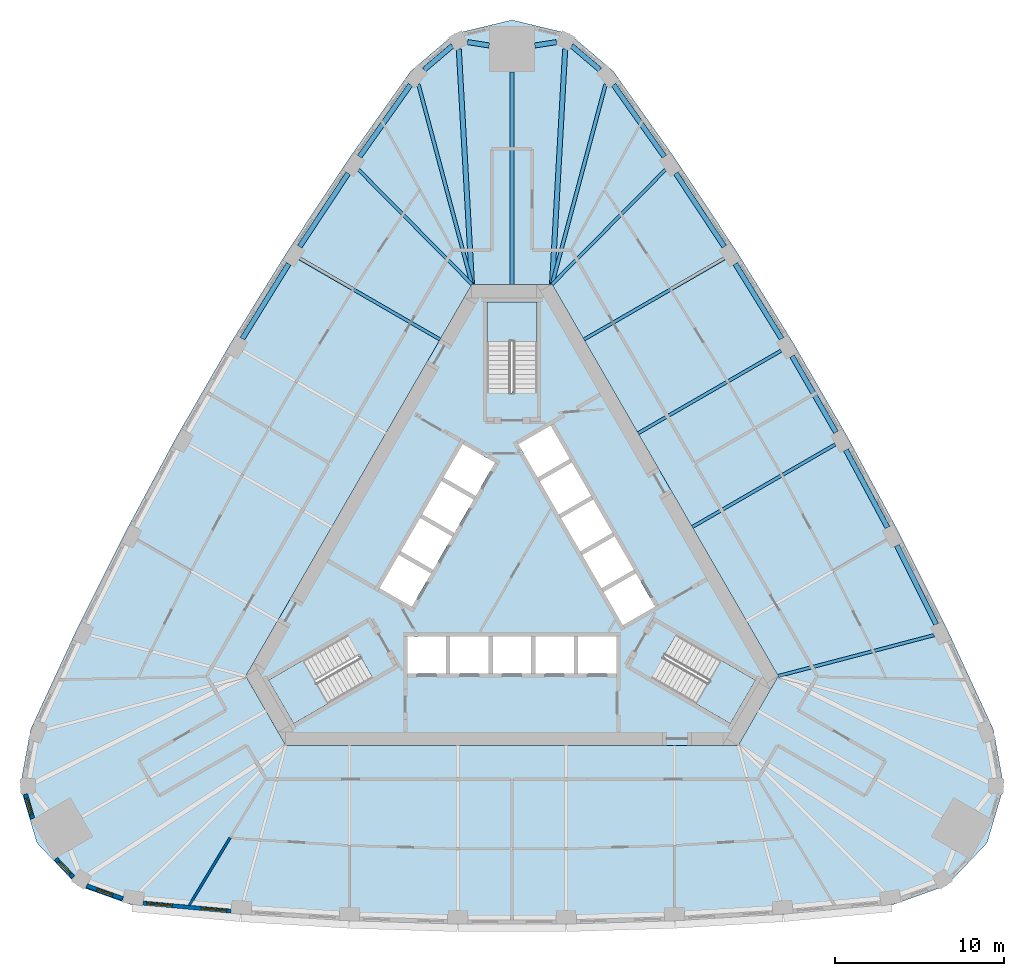
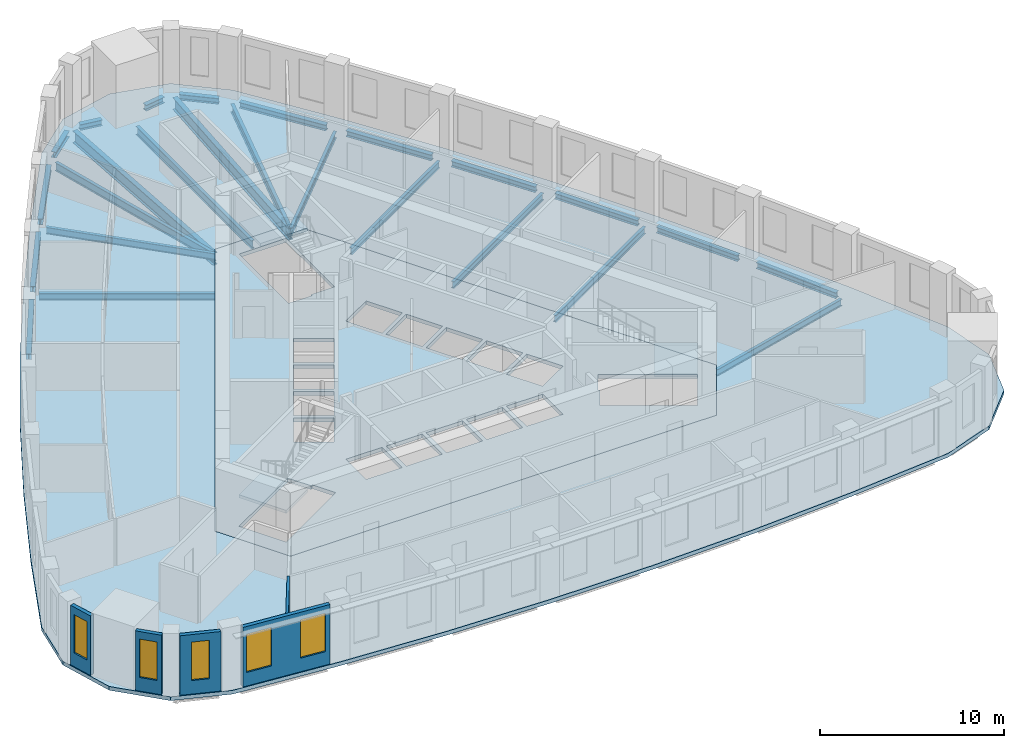
# One storey, part 2 of 10: 25 beams, 5 slabs, 5 walls, 5 windows, 5 openings, 3 elements without a shape of their own.
"""IFC4 building model written with IfcOpenShell, lengths in metres."""

from ifc_helpers import new_model, si_unit, direction, frame, frame_2d, origin, origin_2d, place, context, subcontext, project, spatial, polyline, rectangle, i_section, outline, extrude, material, layer, layer_set, material_profile, profile_set, type_object, element, fill, aggregate, save


model = new_model("IFC4")

# Units and contexts
model_context = context("Model", 3, precision=1e-05, world=origin(), true_north=direction((0.0, 1.0)))
body_context = subcontext(model_context, "Body", "Model", "MODEL_VIEW")
ifc_project = project(units=[si_unit("LENGTHUNIT", "METRE"), si_unit("AREAUNIT", "SQUARE_METRE"), si_unit("VOLUMEUNIT", "CUBIC_METRE"), si_unit("PLANEANGLEUNIT", "RADIAN"), si_unit("MASSUNIT", "GRAM", prefix="KILO")], contexts=[model_context])

# Site, building, storey
site_placement = place(None, origin())
site = spatial("IfcSite", under=ifc_project, at=site_placement, CompositionType="ELEMENT")
building_placement = place(site_placement, origin())
building = spatial("IfcBuilding", under=site, at=building_placement, Name="Mestral Congress Tower", CompositionType="ELEMENT")
storey_placement = place(building_placement, frame((0.0, 0.0, 162.60009765625)))
storey = spatial("IfcBuildingStorey", under=building, at=storey_placement, Name="L38", CompositionType="ELEMENT", Elevation=162.60009765625)

# Beams
ifc_material_1 = material(Name="Steel S355", Category="steel")
ifc_material_profile_1 = material_profile(ifc_material_1, i_section(OverallWidth=0.300048828125, OverallDepth=0.800048828125, WebThickness=0.017578125, FlangeThickness=0.032958984375, FilletRadius=0.030029296875, at=origin_2d()), Name="HEB 800")
ifc_profile_set_1 = profile_set([ifc_material_profile_1], Name="Steel S355")
beam_type_1 = type_object("IfcBeamType", Name="Floor beam HEB 800 S355", PredefinedType="BEAM", material=ifc_profile_set_1)
for number, where, z_axis, x_axis, name in (
    (1, (3.143798828125, 30.703857421875, -0.650146484375), (-0.055769084972, -0.998443693536, 0.0), (0.998443693536, -0.055769084972, 0.0), "BM-L38-RB3-N1"),
    (2, (-3.143798828125, 30.703857421875, -0.650146484375), (0.055769084972, -0.998443693536, 0.0), (0.998443693536, 0.055769084972, 0.0), "BM-L38-RB3-N3"),
):
    element("IfcBeam", number, at=place(storey_placement, frame(where, z_axis=z_axis, x_axis=x_axis)), inside=storey, type_object=beam_type_1, Name=name, PredefinedType="BEAM", context=body_context, shape_type="SweptSolid", body=[
        extrude(i_section(OverallWidth=0.300048828125, OverallDepth=0.800048828125, WebThickness=0.017578125, FlangeThickness=0.032958984375, FilletRadius=0.030029296875, at=origin_2d()), origin(), (0.0, 0.0, 1.0), 13.925537109375),
    ])
ifc_material_profile_2 = material_profile(ifc_material_1, i_section(OverallWidth=0.18994140625, OverallDepth=0.449951171875, WebThickness=0.009521484375, FlangeThickness=0.0146484375, FilletRadius=0.02099609375, at=origin_2d()), Name="IPE 450")
ifc_profile_set_2 = profile_set([ifc_material_profile_2], Name="Steel S355")
beam_type_2 = type_object("IfcBeamType", Name="Floor beam IPE 450 S355", PredefinedType="BEAM", material=ifc_profile_set_2)
beam_1_placement = place(storey_placement, frame((24.938232421875, -3.93505859375, -0.47509765625), z_axis=(-0.967265999603, -0.253764627187, 0.0), x_axis=(0.253764627187, -0.967265999603, 0.0)))
element("IfcBeam", 3, at=beam_1_placement, inside=storey, type_object=beam_type_2, Name="BM-L38-RB3-E01", PredefinedType="BEAM", context=body_context, shape_type="SweptSolid", body=[
    extrude(i_section(OverallWidth=0.18994140625, OverallDepth=0.449951171875, WebThickness=0.009521484375, FlangeThickness=0.0146484375, FilletRadius=0.02099609375, at=origin_2d()), origin(), (0.0, 0.0, 1.0), 9.516845703125),
])
beam_2_placement = place(storey_placement, frame((19.100830078125, 7.332763671875, -0.47509765625), z_axis=(-0.866036015824, -0.499981618958, 0.0), x_axis=(0.499981618958, -0.866036015824, 0.0)))
element("IfcBeam", 4, at=beam_2_placement, inside=storey, type_object=beam_type_2, Name="BM-L38-RB3-E03", PredefinedType="BEAM", context=body_context, shape_type="SweptSolid", body=[
    extrude(i_section(OverallWidth=0.18994140625, OverallDepth=0.449951171875, WebThickness=0.009521484375, FlangeThickness=0.0146484375, FilletRadius=0.02099609375, at=origin_2d()), origin(), (0.0, 0.0, 1.0), 9.758056640625),
])
beam_3_placement = place(storey_placement, frame((15.90087890625, 12.875244140625, -0.47509765625), z_axis=(-0.866025182435, -0.500000383388, 0.0), x_axis=(0.500000383388, -0.866025182435, 0.0)))
element("IfcBeam", 5, at=beam_3_placement, inside=storey, type_object=beam_type_2, Name="BM-L38-RB3-E04", PredefinedType="BEAM", context=body_context, shape_type="SweptSolid", body=[
    extrude(i_section(OverallWidth=0.18994140625, OverallDepth=0.449951171875, WebThickness=0.009521484375, FlangeThickness=0.0146484375, FilletRadius=0.02099609375, at=origin_2d()), origin(), (0.0, 0.0, 1.0), 9.75830078125),
])
beam_4_placement = place(storey_placement, frame((12.532958984375, 18.317138671875, -0.47509765625), z_axis=(-0.866022320763, -0.500005339912, 0.0), x_axis=(0.500005339912, -0.866022320763, 0.0)))
element("IfcBeam", 6, at=beam_4_placement, inside=storey, type_object=beam_type_2, Name="BM-L38-RB3-E05", PredefinedType="BEAM", context=body_context, shape_type="SweptSolid", body=[
    extrude(i_section(OverallWidth=0.18994140625, OverallDepth=0.449951171875, WebThickness=0.009521484375, FlangeThickness=0.0146484375, FilletRadius=0.02099609375, at=origin_2d()), origin(), (0.0, 0.0, 1.0), 9.5625),
])
for number, where, z_axis, x_axis, name in (
    (7, (9.06103515625, 23.564697265625, -0.47509765625), (-0.703377189025, -0.710816804781, 0.0), (0.710816804781, -0.703377189025, 0.0), "BM-L38-RB3-E06"),
    (8, (-9.06103515625, 23.564697265625, -0.47509765625), (0.703377189025, -0.710816804781, 0.0), (0.710816804781, 0.703377189025, 0.0), "BM-L38-RB3-W01"),
):
    element("IfcBeam", number, at=place(storey_placement, frame(where, z_axis=z_axis, x_axis=x_axis)), inside=storey, type_object=beam_type_2, Name=name, PredefinedType="BEAM", context=body_context, shape_type="SweptSolid", body=[
        extrude(i_section(OverallWidth=0.18994140625, OverallDepth=0.449951171875, WebThickness=0.009521484375, FlangeThickness=0.0146484375, FilletRadius=0.02099609375, at=origin_2d()), origin(), (0.0, 0.0, 1.0), 9.516845703125),
    ])
beam_5_placement = place(storey_placement, frame((-12.532958984375, 18.317138671875, -0.47509765625), z_axis=(0.866022320763, -0.500005339912, 0.0), x_axis=(0.500005339912, 0.866022320763, 0.0)))
element("IfcBeam", 9, at=beam_5_placement, inside=storey, type_object=beam_type_2, Name="BM-L38-RB3-W02", PredefinedType="BEAM", context=body_context, shape_type="SweptSolid", body=[
    extrude(i_section(OverallWidth=0.18994140625, OverallDepth=0.449951171875, WebThickness=0.009521484375, FlangeThickness=0.0146484375, FilletRadius=0.02099609375, at=origin_2d()), origin(), (0.0, 0.0, 1.0), 9.5625),
])
ifc_material_profile_3 = material_profile(ifc_material_1, i_section(OverallWidth=0.2099609375, OverallDepth=0.550048828125, WebThickness=0.010986328125, FlangeThickness=0.01708984375, FilletRadius=0.02392578125, at=origin_2d()), Name="IPE 550")
ifc_profile_set_3 = profile_set([ifc_material_profile_3], Name="Steel S355")
beam_type_3 = type_object("IfcBeamType", Name="Floor beam IPE 550 S355", PredefinedType="BEAM", material=ifc_profile_set_3)
beam_6_placement = place(storey_placement, frame((5.5283203125, 28.609375, -0.525146484375), z_axis=(-0.258577363905, -0.965990552167, 0.0), x_axis=(0.965990552167, -0.258577363905, 0.0)))
element("IfcBeam", 10, at=beam_6_placement, inside=storey, type_object=beam_type_3, Name="BM-L38-RB3-E07", PredefinedType="BEAM", context=body_context, shape_type="SweptSolid", body=[
    extrude(i_section(OverallWidth=0.2099609375, OverallDepth=0.550048828125, WebThickness=0.010986328125, FlangeThickness=0.01708984375, FilletRadius=0.02392578125, at=origin_2d()), origin(), (0.0, 0.0, 1.0), 12.22509765625),
])
beam_7_placement = place(storey_placement, frame((0.0, 29.354248046875, -0.525146484375), z_axis=(0.0, -1.0, 0.0), x_axis=(1.0, 0.0, 0.0)))
element("IfcBeam", 11, at=beam_7_placement, inside=storey, type_object=beam_type_3, Name="BM-L38-RB3-N", PredefinedType="BEAM", context=body_context, shape_type="SweptSolid", body=[
    extrude(i_section(OverallWidth=0.2099609375, OverallDepth=0.550048828125, WebThickness=0.010986328125, FlangeThickness=0.01708984375, FilletRadius=0.02392578125, at=origin_2d()), origin(), (0.0, 0.0, 1.0), 12.55419921875),
])
beam_8_placement = place(storey_placement, frame((-5.5283203125, 28.609375, -0.525146484375), z_axis=(0.258577363905, -0.965990552167, 0.0), x_axis=(0.965990552167, 0.258577363905, 0.0)))
element("IfcBeam", 12, at=beam_8_placement, inside=storey, type_object=beam_type_3, Name="BM-L38-RB3-W00", PredefinedType="BEAM", context=body_context, shape_type="SweptSolid", body=[
    extrude(i_section(OverallWidth=0.2099609375, OverallDepth=0.550048828125, WebThickness=0.010986328125, FlangeThickness=0.01708984375, FilletRadius=0.02392578125, at=origin_2d()), origin(), (0.0, 0.0, 1.0), 12.22509765625),
])
ifc_material_profile_4 = material_profile(ifc_material_1, i_section(OverallWidth=0.300048828125, OverallDepth=0.389892578125, WebThickness=0.010986328125, FlangeThickness=0.01904296875, FilletRadius=0.027099609375, at=origin_2d()), Name="HEA 400")
ifc_profile_set_4 = profile_set([ifc_material_profile_4], Name="Steel S355")
beam_type_4 = type_object("IfcBeamType", Name="Spandrel beam HEA 400 S355", PredefinedType="BEAM", material=ifc_profile_set_4)
beam_9_placement = place(storey_placement, frame((25.064453125, -3.294677734375, -0.445068359375), z_axis=(-0.446255467462, 0.894905613884, 0.0), x_axis=(-0.894905613884, -0.446255467462, 0.0)))
element("IfcBeam", 13, at=beam_9_placement, inside=storey, type_object=beam_type_4, Name="SP-L38-SB3-E01", PredefinedType="BEAM", context=body_context, shape_type="SweptSolid", body=[
    extrude(i_section(OverallWidth=0.300048828125, OverallDepth=0.389892578125, WebThickness=0.010986328125, FlangeThickness=0.01904296875, FilletRadius=0.027099609375, at=origin_2d()), origin(), (0.0, 0.0, 1.0), 5.199462890625),
])
for number, where, z_axis, x_axis, name in (
    (14, (22.1923828125, 2.424072265625, -0.445068359375), (-0.473332458078, 0.880883865291, 0.0), (-0.880883865291, -0.473332458078, 0.0), "SP-L38-SB3-E02"),
    (15, (19.147216796875, 8.052490234375, -0.445068359375), (-0.499992051641, 0.866029992723, 0.0), (-0.866029992723, -0.499992051641, 0.0), "SP-L38-SB3-E03"),
):
    element("IfcBeam", number, at=place(storey_placement, frame(where, z_axis=z_axis, x_axis=x_axis)), inside=storey, type_object=beam_type_4, Name=name, PredefinedType="BEAM", context=body_context, shape_type="SweptSolid", body=[
        extrude(i_section(OverallWidth=0.300048828125, OverallDepth=0.389892578125, WebThickness=0.010986328125, FlangeThickness=0.01904296875, FilletRadius=0.027099609375, at=origin_2d()), origin(), (0.0, 0.0, 1.0), 5.19970703125),
    ])
for number, where, z_axis, x_axis, name in (
    (16, (15.931640625, 13.585693359375, -0.445068359375), (-0.526220441006, 0.8503481919, 0.0), (-0.8503481919, -0.526220441006, 0.0), "SP-L38-SB3-E04"),
    (17, (12.548583984375, 19.017822265625, -0.445068359375), (-0.551901475275, 0.833909324561, 0.0), (-0.833909324561, -0.551901475275, 0.0), "SP-L38-SB3-E05"),
):
    element("IfcBeam", number, at=place(storey_placement, frame(where, z_axis=z_axis, x_axis=x_axis)), inside=storey, type_object=beam_type_4, Name=name, PredefinedType="BEAM", context=body_context, shape_type="SweptSolid", body=[
        extrude(i_section(OverallWidth=0.300048828125, OverallDepth=0.389892578125, WebThickness=0.010986328125, FlangeThickness=0.01904296875, FilletRadius=0.027099609375, at=origin_2d()), origin(), (0.0, 0.0, 1.0), 5.199462890625),
    ])
beam_10_placement = place(storey_placement, frame((9.00146484375, 24.34423828125, -0.445068359375), z_axis=(-0.577107284947, 0.816668342512, 0.0), x_axis=(-0.816668342512, -0.577107284947, 0.0)))
element("IfcBeam", 18, at=beam_10_placement, inside=storey, type_object=beam_type_4, Name="SP-L38-SB3-E06", PredefinedType="BEAM", context=body_context, shape_type="SweptSolid", body=[
    extrude(i_section(OverallWidth=0.300048828125, OverallDepth=0.389892578125, WebThickness=0.010986328125, FlangeThickness=0.01904296875, FilletRadius=0.027099609375, at=origin_2d()), origin(), (0.0, 0.0, 1.0), 5.197509765625),
])
beam_11_placement = place(storey_placement, frame((5.191162109375, 29.47509765625, -0.445068359375), z_axis=(-0.761471479234, 0.648198415852, 0.0), x_axis=(-0.648198415852, -0.761471479234, 0.0)))
element("IfcBeam", 19, at=beam_11_placement, inside=storey, type_object=beam_type_4, Name="SP-L38-SB3-E07", PredefinedType="BEAM", context=body_context, shape_type="SweptSolid", body=[
    extrude(i_section(OverallWidth=0.300048828125, OverallDepth=0.389892578125, WebThickness=0.010986328125, FlangeThickness=0.01904296875, FilletRadius=0.027099609375, at=origin_2d()), origin(), (0.0, 0.0, 1.0), 2.189697265625),
])
for number, where, z_axis, x_axis, name in (
    (20, (2.62353515625, 31.10986328125, -0.445068359375), (-0.988242111203, -0.152897121116, 0.0), (0.152897121116, -0.988242111203, 0.0), "SP-L38-SB3-N1"),
    (21, (-1.35009765625, 30.912841796875, -0.445068359375), (-0.988242111203, 0.152897121116, 0.0), (-0.152897121116, -0.988242111203, 0.0), "SP-L38-SB3-N"),
):
    element("IfcBeam", number, at=place(storey_placement, frame(where, z_axis=z_axis, x_axis=x_axis)), inside=storey, type_object=beam_type_4, Name=name, PredefinedType="BEAM", context=body_context, shape_type="SweptSolid", body=[
        extrude(i_section(OverallWidth=0.300048828125, OverallDepth=0.389892578125, WebThickness=0.010986328125, FlangeThickness=0.01904296875, FilletRadius=0.027099609375, at=origin_2d()), origin(), (0.0, 0.0, 1.0), 1.28857421875),
    ])
beam_12_placement = place(storey_placement, frame((-3.523681640625, 30.89453125, -0.445068359375), z_axis=(-0.761471479234, -0.648198415852, 0.0), x_axis=(0.648198415852, -0.761471479234, 0.0)))
element("IfcBeam", 22, at=beam_12_placement, inside=storey, type_object=beam_type_4, Name="SP-L38-SB3-N3", PredefinedType="BEAM", context=body_context, shape_type="SweptSolid", body=[
    extrude(i_section(OverallWidth=0.300048828125, OverallDepth=0.389892578125, WebThickness=0.010986328125, FlangeThickness=0.01904296875, FilletRadius=0.027099609375, at=origin_2d()), origin(), (0.0, 0.0, 1.0), 2.189697265625),
])
beam_13_placement = place(storey_placement, frame((-6.001953125, 28.5888671875, -0.445068359375), z_axis=(-0.577107284947, -0.816668342512, 0.0), x_axis=(0.816668342512, -0.577107284947, 0.0)))
element("IfcBeam", 23, at=beam_13_placement, inside=storey, type_object=beam_type_4, Name="SP-L38-SB3-W00", PredefinedType="BEAM", context=body_context, shape_type="SweptSolid", body=[
    extrude(i_section(OverallWidth=0.300048828125, OverallDepth=0.389892578125, WebThickness=0.010986328125, FlangeThickness=0.01904296875, FilletRadius=0.027099609375, at=origin_2d()), origin(), (0.0, 0.0, 1.0), 5.197509765625),
])
for number, where, z_axis, x_axis, name in (
    (24, (-9.678955078125, 23.353759765625, -0.445068359375), (-0.551901475275, -0.833909324561, 0.0), (0.833909324561, -0.551901475275, 0.0), "SP-L38-SB3-W01"),
    (25, (-13.195556640625, 18.007080078125, -0.445068359375), (-0.526220441006, -0.8503481919, 0.0), (0.8503481919, -0.526220441006, 0.0), "SP-L38-SB3-W02"),
):
    element("IfcBeam", number, at=place(storey_placement, frame(where, z_axis=z_axis, x_axis=x_axis)), inside=storey, type_object=beam_type_4, Name=name, PredefinedType="BEAM", context=body_context, shape_type="SweptSolid", body=[
        extrude(i_section(OverallWidth=0.300048828125, OverallDepth=0.389892578125, WebThickness=0.010986328125, FlangeThickness=0.01904296875, FilletRadius=0.027099609375, at=origin_2d()), origin(), (0.0, 0.0, 1.0), 5.199462890625),
    ])

# Slabs
ifc_material_2 = material(Name="Concrete C35/45", Category="concrete")
ifc_layer_1 = layer(ifc_material_2, 0.25)
ifc_layer_set_1 = layer_set([ifc_layer_1], Name="Concrete C35/45")
slab_type_1 = type_object("IfcSlabType", Name="Composite floor slab 250", PredefinedType="FLOOR", material=ifc_layer_set_1)
placement_1 = place(storey_placement, frame((0.0, 0.0, -0.25)))
element("IfcSlab", 26, at=placement_1, inside=storey, type_object=slab_type_1, Name="SL-L38", PredefinedType="FLOOR", context=body_context, shape_type="SweptSolid", body=[
    extrude(outline(polyline([(-22.455078125, -19.880126953125), (-25.68212890625, -18.731689453125), (-28.073974609375, -16.20849609375), (-29.06298828125, -12.87548828125), (-28.444091796875, -9.506591796875), (-25.73779296875, -3.63720703125), (-22.8759765625, 2.1025390625), (-19.84033203125, 7.751953125), (-16.633544921875, 13.30615234375), (-13.2587890625, 18.760009765625), (-9.71923828125, 24.1083984375), (-5.9892578125, 29.38671875), (-3.381103515625, 31.607177734375), (0.0, 32.4169921875), (3.381103515625, 31.607177734375), (5.9892578125, 29.38671875), (9.71923828125, 24.1083984375), (13.2587890625, 18.760009765625), (16.633544921875, 13.30615234375), (19.84033203125, 7.751953125), (22.8759765625, 2.1025390625), (25.73779296875, -3.63720703125), (28.444091796875, -9.506591796875), (29.06298828125, -12.87548828125), (28.073974609375, -16.20849609375), (25.68212890625, -18.731689453125), (22.455078125, -19.880126953125), (16.018798828125, -20.47119140625), (9.6171875, -20.862548828125), (3.206787109375, -21.05810546875), (-3.206787109375, -21.05810546875), (-9.6171875, -20.862548828125), (-16.018798828125, -20.47119140625), (-22.455078125, -19.880126953125)]), holes=[polyline([(-2.3671875, 16.800048828125), (-15.73291015625, -6.35009765625), (-13.36572265625, -10.449951171875), (13.36572265625, -10.449951171875), (15.73291015625, -6.35009765625), (2.3671875, 16.800048828125), (-2.3671875, 16.800048828125)])]), origin(), (0.0, 0.0, 1.0), 0.25),
])
ifc_material_3 = material(Name="Concrete C60/75", Category="concrete")
ifc_layer_2 = layer(ifc_material_3, 0.25)
ifc_layer_set_2 = layer_set([ifc_layer_2], Name="Concrete C60/75")
slab_type_2 = type_object("IfcSlabType", Name="Core floor slab RC 250", PredefinedType="FLOOR", material=ifc_layer_set_2)
element("IfcSlab", 27, at=placement_1, inside=storey, type_object=slab_type_2, Name="L38 core floor", PredefinedType="FLOOR", context=body_context, shape_type="SweptSolid", body=[
    extrude(outline(polyline([(13.36572265625, -10.449951171875), (-13.36572265625, -10.449951171875), (-15.73291015625, -6.35009765625), (-2.3671875, 16.800048828125), (2.3671875, 16.800048828125), (15.73291015625, -6.35009765625), (13.36572265625, -10.449951171875)]), holes=[polyline([(-9.8046875, -3.95751953125), (-14.37744140625, -6.59765625), (-12.90234375, -9.15234375), (-8.234619140625, -6.45751953125), (-8.971923828125, -5.179931640625), (-9.0673828125, -5.235107421875), (-9.8046875, -3.95751953125)]), polyline([(-3.905029296875, -4.0), (-6.175048828125, -4.0), (-6.175048828125, -6.199951171875), (-3.905029296875, -6.199951171875), (-3.905029296875, -4.0)]), polyline([(-1.385009765625, -4.0), (-3.655029296875, -4.0), (-3.655029296875, -6.199951171875), (-1.385009765625, -6.199951171875), (-1.385009765625, -4.0)]), polyline([(1.135009765625, -4.0), (-1.135009765625, -4.0), (-1.135009765625, -6.199951171875), (1.135009765625, -6.199951171875), (1.135009765625, -4.0)]), polyline([(-5.921630859375, -2.256591796875), (-4.78662109375, -0.29052734375), (-6.69189453125, 0.809326171875), (-7.826904296875, -1.156494140625), (-5.921630859375, -2.256591796875)]), polyline([(-4.66162109375, -0.07421875), (-3.526611328125, 1.8916015625), (-5.431884765625, 2.99169921875), (-6.56689453125, 1.02587890625), (-4.66162109375, -0.07421875)]), polyline([(-3.401611328125, 2.1083984375), (-2.2666015625, 4.07421875), (-4.171875, 5.174072265625), (-5.306884765625, 3.208251953125), (-3.401611328125, 2.1083984375)]), polyline([(-2.1416015625, 4.29052734375), (-1.006591796875, 6.256591796875), (-2.911865234375, 7.3564453125), (-4.046875, 5.390625), (-2.1416015625, 4.29052734375)]), polyline([(1.47509765625, 10.469970703125), (1.47509765625, 15.75), (-1.47509765625, 15.75), (-1.47509765625, 10.360107421875), (0.0, 10.360107421875), (0.0, 10.469970703125), (1.47509765625, 10.469970703125)]), polyline([(8.329833984375, -6.512451171875), (12.90234375, -9.15234375), (14.37744140625, -6.59765625), (9.70947265625, -3.902587890625), (8.971923828125, -5.179931640625), (9.0673828125, -5.235107421875), (8.329833984375, -6.512451171875)]), polyline([(3.655029296875, -4.0), (1.385009765625, -4.0), (1.385009765625, -6.199951171875), (3.655029296875, -6.199951171875), (3.655029296875, -4.0)]), polyline([(6.175048828125, -4.0), (3.905029296875, -4.0), (3.905029296875, -6.199951171875), (6.175048828125, -6.199951171875), (6.175048828125, -4.0)]), polyline([(5.41650390625, -1.3818359375), (6.551513671875, -3.34765625), (8.456787109375, -2.247802734375), (7.322021484375, -0.28173828125), (5.41650390625, -1.3818359375)]), polyline([(4.156494140625, 0.800537109375), (5.29150390625, -1.165283203125), (7.197021484375, -0.065185546875), (6.06201171875, 1.900634765625), (4.156494140625, 0.800537109375)]), polyline([(2.896484375, 2.98291015625), (4.031494140625, 1.01708984375), (5.93701171875, 2.1171875), (4.802001953125, 4.0830078125), (2.896484375, 2.98291015625)]), polyline([(3.5419921875, 6.265380859375), (1.63671875, 5.165283203125), (2.771484375, 3.199462890625), (4.677001953125, 4.29931640625), (3.5419921875, 6.265380859375)]), polyline([(2.281982421875, 8.44775390625), (0.376708984375, 7.34765625), (1.51171875, 5.3818359375), (3.4169921875, 6.481689453125), (2.281982421875, 8.44775390625)])]), origin(), (0.0, 0.0, 1.0), 0.25),
])

# Stair, slab
stair_type = type_object("IfcStairType", Name="Exit stair 1400", PredefinedType="HALF_TURN_STAIR", material=ifc_material_3)
placement_2 = place(storey_placement, origin())
stair_1 = element("IfcStair", 28, at=placement_2, inside=storey, type_object=stair_type, Name="L38 ST1", PredefinedType="HALF_TURN_STAIR")
ifc_layer_3 = layer(ifc_material_3, 0.199951171875)
ifc_layer_set_3 = layer_set([ifc_layer_3], Name="Concrete C60/75")
slab_type_3 = type_object("IfcSlabType", Name="Exit stair landing 200", PredefinedType="LANDING", material=ifc_layer_set_3)
placement_3 = place(storey_placement, frame((0.0, 0.0, 1.89990234375)))
slab_3 = element("IfcSlab", 29, at=placement_3, type_object=slab_type_3, Name="ST1 landing 1", PredefinedType="LANDING", context=body_context, shape_type="SweptSolid", body=[
    extrude(outline(polyline([(10.879638671875, -7.99609375), (12.364501953125, -5.424072265625), (14.39111328125, -6.593994140625), (12.906005859375, -9.166015625), (10.879638671875, -7.99609375)])), origin(), (0.0, 0.0, 1.0), 0.199951171875),
])
aggregate(stair_1, [slab_3])

stair_2 = element("IfcStair", 30, at=placement_2, inside=storey, type_object=stair_type, Name="L38 ST2", PredefinedType="HALF_TURN_STAIR")
slab_4 = element("IfcSlab", 31, at=placement_3, type_object=slab_type_3, Name="ST2 landing 1", PredefinedType="LANDING", context=body_context, shape_type="SweptSolid", body=[
    extrude(outline(polyline([(1.485107421875, 13.419921875), (-1.485107421875, 13.419921875), (-1.485107421875, 15.760009765625), (1.485107421875, 15.760009765625), (1.485107421875, 13.419921875)])), origin(), (0.0, 0.0, 1.0), 0.199951171875),
])
aggregate(stair_2, [slab_4])

stair_3 = element("IfcStair", 32, at=placement_2, inside=storey, type_object=stair_type, Name="L38 ST3", PredefinedType="HALF_TURN_STAIR")
slab_5 = element("IfcSlab", 33, at=placement_3, type_object=slab_type_3, Name="ST3 landing 1", PredefinedType="LANDING", context=body_context, shape_type="SweptSolid", body=[
    extrude(outline(polyline([(-12.364501953125, -5.424072265625), (-10.879638671875, -7.99609375), (-12.906005859375, -9.166015625), (-14.39111328125, -6.593994140625), (-12.364501953125, -5.424072265625)])), origin(), (0.0, 0.0, 1.0), 0.199951171875),
])
aggregate(stair_3, [slab_5])

# Wall, openings, windows
ifc_material_4 = material(Name="Precast concrete C40/50 with limestone facing", Category="masonry")
ifc_layer_4 = layer(ifc_material_4, 0.239990234375)
ifc_layer_set_4 = layer_set([ifc_layer_4], Name="Precast concrete C40/50 with limestone facing")
wall_type_1 = type_object("IfcWallType", Name="Facade stone wall 240", PredefinedType="SOLIDWALL", material=ifc_layer_set_4)
wall_1_placement = place(storey_placement, frame((-21.797119140625, -19.769775390625, 0.0), z_axis=(0.0, 0.0, 1.0), x_axis=(0.995808712151, -0.091460422067, 0.0)))
wall_1 = element("IfcWall", 34, at=wall_1_placement, inside=storey, type_object=wall_type_1, Name="Facade wall F0-00", PredefinedType="SOLIDWALL", context=body_context, shape_type="SweptSolid", body=[
    extrude(rectangle(XDim=5.213134765625, YDim=0.239990234375, at=frame_2d((2.6064453125, 0.0))), origin(), (0.0, 0.0, 1.0), 3.949951171875),
])
opening_1_placement = place(wall_1_placement, frame((0.220947265625, 0.0, 0.89990234375)))
opening_1 = element("IfcOpeningElement", 35, at=opening_1_placement, cuts=wall_1, Name="Opening W4", PredefinedType="OPENING", context=body_context, shape_type="SweptSolid", body=[
    extrude(rectangle(XDim=1.5, YDim=2.550048828125, at=frame_2d((0.75, 1.27490234375))), frame((0.0, 0.1298828125, 0.0), z_axis=(0.0, -1.0, 0.0), x_axis=(1.0, 0.0, 0.0)), (0.0, 0.0, 1.0), 0.260009765625),
])
opening_2_placement = place(wall_1_placement, frame((3.452392578125, 0.0, 0.89990234375)))
opening_2 = element("IfcOpeningElement", 36, at=opening_2_placement, cuts=wall_1, Name="Opening W4", PredefinedType="OPENING", context=body_context, shape_type="SweptSolid", body=[
    extrude(rectangle(XDim=1.5, YDim=2.550048828125, at=frame_2d((0.75, 1.27490234375))), frame((0.0, 0.1298828125, 0.0), z_axis=(0.0, -1.0, 0.0), x_axis=(1.0, 0.0, 0.0)), (0.0, 0.0, 1.0), 0.260009765625),
])
ifc_material_5 = material(Name="Clear low-emissivity double glazing", Category="glass")
window_type_1 = type_object("IfcWindowType", Name="Facade punched window 1500 x 2550 sill 900", PartitioningType="SINGLE_PANEL", PredefinedType="WINDOW", material=ifc_material_5)
window_1_placement = place(opening_1_placement, origin())
window_1 = element("IfcWindow", 37, at=window_1_placement, inside=storey, type_object=window_type_1, Name="Window F0-00a", OverallHeight=2.550048828125, OverallWidth=1.5, PartitioningType="SINGLE_PANEL", PredefinedType="WINDOW", context=body_context, shape_type="SweptSolid", body=[
    extrude(rectangle(XDim=1.5, YDim=2.550048828125, at=frame_2d((0.75, 1.27490234375))), frame((0.0, 0.0400390625, 0.0), z_axis=(0.0, -1.0, 0.0), x_axis=(1.0, 0.0, 0.0)), (0.0, 0.0, 1.0), 0.06005859375),
])
fill(opening_1, window_1)
window_2_placement = place(opening_2_placement, origin())
window_2 = element("IfcWindow", 38, at=window_2_placement, inside=storey, type_object=window_type_1, Name="Window F0-00b", OverallHeight=2.550048828125, OverallWidth=1.5, PartitioningType="SINGLE_PANEL", PredefinedType="WINDOW", context=body_context, shape_type="SweptSolid", body=[
    extrude(rectangle(XDim=1.5, YDim=2.550048828125, at=frame_2d((0.75, 1.27490234375))), frame((0.0, 0.0400390625, 0.0), z_axis=(0.0, -1.0, 0.0), x_axis=(1.0, 0.0, 0.0)), (0.0, 0.0, 1.0), 0.06005859375),
])
fill(opening_2, window_2)

# Wall, opening, window
wall_2_placement = place(storey_placement, frame((-28.747802734375, -13.340087890625, 0.0), z_axis=(0.0, 0.0, 1.0), x_axis=(0.284413721403, -0.958701640281, 0.0)))
wall_2 = element("IfcWall", 39, at=wall_2_placement, inside=storey, type_object=wall_type_1, Name="Facade wall K2-1", PredefinedType="SOLIDWALL", context=body_context, shape_type="SweptSolid", body=[
    extrude(rectangle(XDim=1.481689453125, YDim=0.239990234375, at=frame_2d((0.74072265625, 0.0))), origin(), (0.0, 0.0, 1.0), 3.949951171875),
])
opening_3_placement = place(wall_2_placement, frame((0.24072265625, 0.0, 0.89990234375)))
opening_3 = element("IfcOpeningElement", 40, at=opening_3_placement, cuts=wall_2, Name="Opening W5", PredefinedType="OPENING", context=body_context, shape_type="SweptSolid", body=[
    extrude(rectangle(XDim=1.0, YDim=2.550048828125, at=frame_2d((0.5, 1.27490234375))), frame((0.0, 0.1298828125, 0.0), z_axis=(0.0, -1.0, 0.0), x_axis=(1.0, 0.0, 0.0)), (0.0, 0.0, 1.0), 0.260009765625),
])
window_type_2 = type_object("IfcWindowType", Name="Facade punched window 1000 x 2550 sill 900", PartitioningType="SINGLE_PANEL", PredefinedType="WINDOW", material=ifc_material_5)
window_3_placement = place(opening_3_placement, origin())
window_3 = element("IfcWindow", 41, at=window_3_placement, inside=storey, type_object=window_type_2, Name="Window K2-1", OverallHeight=2.550048828125, OverallWidth=1.0, PartitioningType="SINGLE_PANEL", PredefinedType="WINDOW", context=body_context, shape_type="SweptSolid", body=[
    extrude(rectangle(XDim=1.0, YDim=2.550048828125, at=frame_2d((0.5, 1.27490234375))), frame((0.0, 0.0400390625, 0.0), z_axis=(0.0, -1.0, 0.0), x_axis=(1.0, 0.0, 0.0)), (0.0, 0.0, 1.0), 0.06005859375),
])
fill(opening_3, window_3)

wall_3_placement = place(storey_placement, frame((-26.946044921875, -17.151123046875, 0.0), z_axis=(0.0, 0.0, 1.0), x_axis=(0.687986858937, -0.725723144133, 0.0)))
wall_3 = element("IfcWall", 42, at=wall_3_placement, inside=storey, type_object=wall_type_1, Name="Facade wall K2-2", PredefinedType="SOLIDWALL", context=body_context, shape_type="SweptSolid", body=[
    extrude(rectangle(XDim=1.4814453125, YDim=0.239990234375, at=frame_2d((0.74072265625, 0.0))), origin(), (0.0, 0.0, 1.0), 3.949951171875),
])
opening_4_placement = place(wall_3_placement, frame((0.24072265625, 0.0, 0.89990234375)))
opening_4 = element("IfcOpeningElement", 43, at=opening_4_placement, cuts=wall_3, Name="Opening W5", PredefinedType="OPENING", context=body_context, shape_type="SweptSolid", body=[
    extrude(rectangle(XDim=1.0, YDim=2.550048828125, at=frame_2d((0.5, 1.27490234375))), frame((0.0, 0.1298828125, 0.0), z_axis=(0.0, -1.0, 0.0), x_axis=(1.0, 0.0, 0.0)), (0.0, 0.0, 1.0), 0.260009765625),
])
window_4_placement = place(opening_4_placement, origin())
window_4 = element("IfcWindow", 44, at=window_4_placement, inside=storey, type_object=window_type_2, Name="Window K2-2", OverallHeight=2.550048828125, OverallWidth=1.0, PartitioningType="SINGLE_PANEL", PredefinedType="WINDOW", context=body_context, shape_type="SweptSolid", body=[
    extrude(rectangle(XDim=1.0, YDim=2.550048828125, at=frame_2d((0.5, 1.27490234375))), frame((0.0, 0.0400390625, 0.0), z_axis=(0.0, -1.0, 0.0), x_axis=(1.0, 0.0, 0.0)), (0.0, 0.0, 1.0), 0.06005859375),
])
fill(opening_4, window_4)

wall_4_placement = place(storey_placement, frame((-25.12109375, -18.750732421875, 0.0), z_axis=(0.0, 0.0, 1.0), x_axis=(0.942099727267, -0.335332825539, 0.0)))
wall_4 = element("IfcWall", 45, at=wall_4_placement, inside=storey, type_object=wall_type_1, Name="Facade wall K2-3", PredefinedType="SOLIDWALL", context=body_context, shape_type="SweptSolid", body=[
    extrude(rectangle(XDim=2.25048828125, YDim=0.239990234375, at=frame_2d((1.125244140625, 0.0))), origin(), (0.0, 0.0, 1.0), 3.949951171875),
])
opening_5_placement = place(wall_4_placement, frame((0.625244140625, 0.0, 0.89990234375)))
opening_5 = element("IfcOpeningElement", 46, at=opening_5_placement, cuts=wall_4, Name="Opening W5", PredefinedType="OPENING", context=body_context, shape_type="SweptSolid", body=[
    extrude(rectangle(XDim=1.0, YDim=2.550048828125, at=frame_2d((0.5, 1.27490234375))), frame((0.0, 0.1298828125, 0.0), z_axis=(0.0, -1.0, 0.0), x_axis=(1.0, 0.0, 0.0)), (0.0, 0.0, 1.0), 0.260009765625),
])
window_5_placement = place(opening_5_placement, origin())
window_5 = element("IfcWindow", 47, at=window_5_placement, inside=storey, type_object=window_type_2, Name="Window K2-3", OverallHeight=2.550048828125, OverallWidth=1.0, PartitioningType="SINGLE_PANEL", PredefinedType="WINDOW", context=body_context, shape_type="SweptSolid", body=[
    extrude(rectangle(XDim=1.0, YDim=2.550048828125, at=frame_2d((0.5, 1.27490234375))), frame((0.0, 0.0400390625, 0.0), z_axis=(0.0, -1.0, 0.0), x_axis=(1.0, 0.0, 0.0)), (0.0, 0.0, 1.0), 0.06005859375),
])
fill(opening_5, window_5)

# Wall
ifc_material_6 = material(Name="Plasterboard partition on steel studs", Category="steel")
ifc_layer_5 = layer(ifc_material_6, 0.14990234375)
ifc_layer_set_5 = layer_set([ifc_layer_5], Name="Plasterboard partition on steel studs")
wall_type_2 = type_object("IfcWallType", Name="Office partition 150", PredefinedType="PARTITIONING", material=ifc_layer_set_5)
wall_5_placement = place(storey_placement, frame((-16.655517578125, -15.89990234375, 0.0), z_axis=(0.0, 0.0, 1.0), x_axis=(-0.516845255261, -0.856078841062, 0.0)))
element("IfcWall", 48, at=wall_5_placement, inside=storey, type_object=wall_type_2, Name="Partition", PredefinedType="PARTITIONING", context=body_context, shape_type="SweptSolid", body=[
    extrude(rectangle(XDim=4.672119140625, YDim=0.14990234375, at=frame_2d((2.3359375, 0.0))), origin(), (0.0, 0.0, 1.0), 3.14990234375),
])

save(model, "model.ifc")
